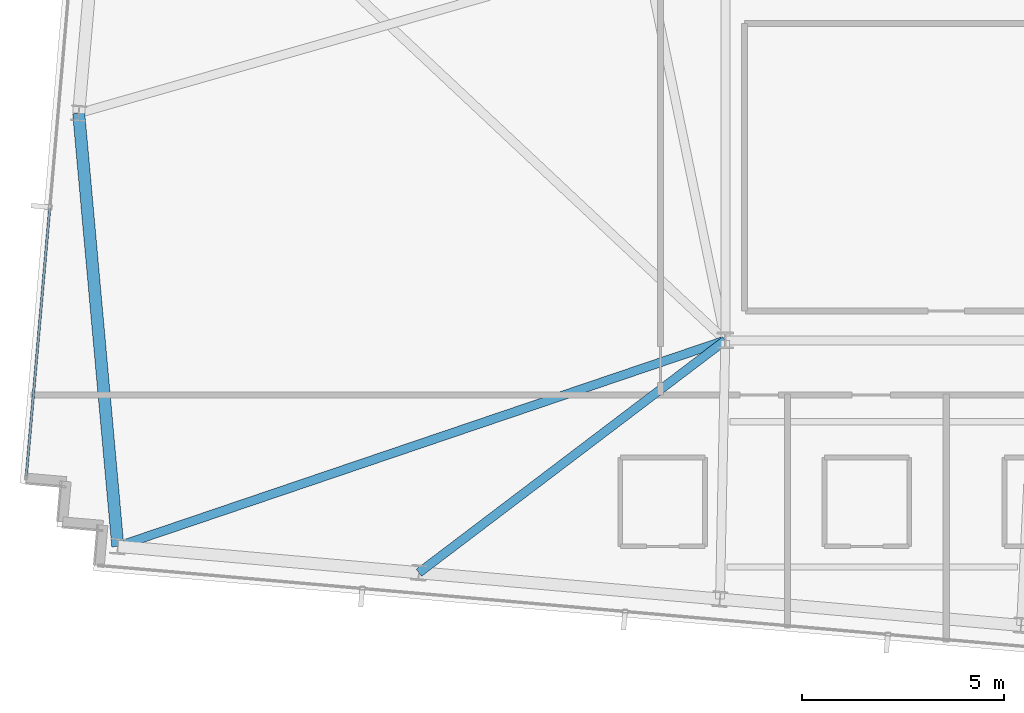
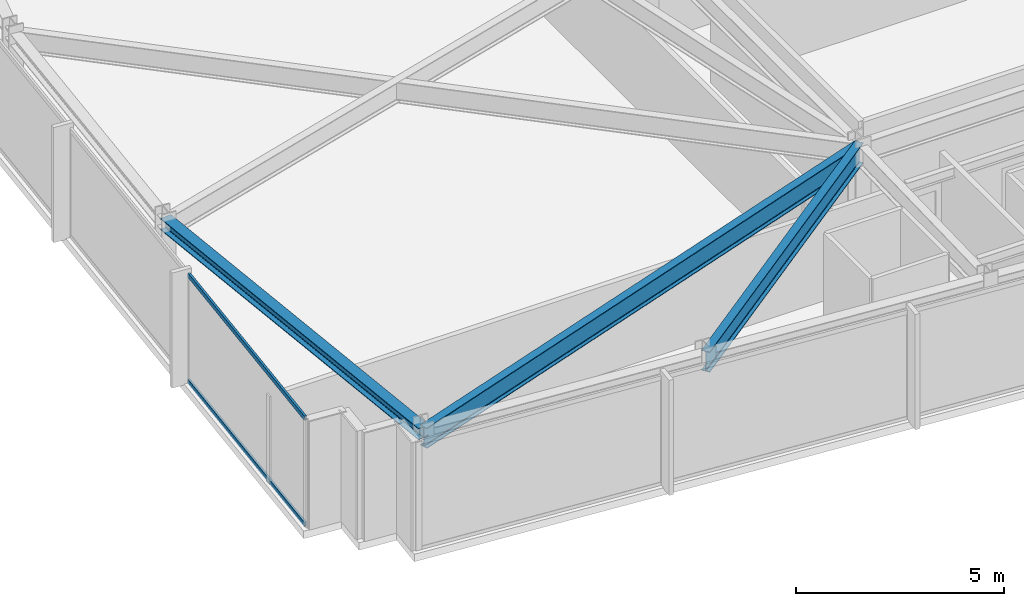
# One storey, part 4 of 33: 3 beams, 2 members, 1 element without a shape of its own.
"""IFC4 building model written with IfcOpenShell, lengths in metres."""

from ifc_helpers import new_model, si_unit, direction, frame, origin, origin_2d, place, context, subcontext, project, spatial, hollow_rectangle, i_section, extrude, material, material_profile, profile_set, type_object, element, aggregate, save


model = new_model("IFC4")

# Units and contexts
model_context = context("Model", 3, precision=1e-05, world=origin(), true_north=direction((0.0, 1.0)))
body_context = subcontext(model_context, "Body", "Model", "MODEL_VIEW")
ifc_project = project(units=[si_unit("LENGTHUNIT", "METRE"), si_unit("AREAUNIT", "SQUARE_METRE"), si_unit("VOLUMEUNIT", "CUBIC_METRE"), si_unit("PLANEANGLEUNIT", "RADIAN"), si_unit("MASSUNIT", "GRAM", prefix="KILO")], contexts=[model_context])

# Site, building, storey
site_placement = place(None, origin())
site = spatial("IfcSite", under=ifc_project, at=site_placement, CompositionType="ELEMENT")
building_placement = place(site_placement, origin())
building = spatial("IfcBuilding", under=site, at=building_placement, Name="Yelkora Congress Tower", CompositionType="ELEMENT")
storey_placement = place(building_placement, frame((0.0, 0.0, 282.89990234375)))
storey = spatial("IfcBuildingStorey", under=building, at=storey_placement, Name="L79", CompositionType="ELEMENT", Elevation=282.89990234375)

# Beams
ifc_material_1 = material(Name="Steel S355J2", Category="steel")
ifc_material_profile_1 = material_profile(ifc_material_1, i_section(OverallWidth=0.219970703125, OverallDepth=0.60009765625, WebThickness=0.011962890625, FlangeThickness=0.01904296875, FilletRadius=0.02392578125, at=origin_2d()), Name="IPE 600")
ifc_profile_set_1 = profile_set([ifc_material_profile_1], Name="Steel S355J2")
beam_type_1 = type_object("IfcBeamType", Name="BM-GIRD-IPE600", PredefinedType="BEAM", material=ifc_profile_set_1)
beam_1_placement = place(storey_placement, frame((7.998046875, 20.097900390625, 2.880126953125), z_axis=(0.947007090502, 0.321212656257, 0.0), x_axis=(-0.321212656257, 0.947007090502, 0.0)))
element("IfcBeam", 1, at=beam_1_placement, inside=storey, type_object=beam_type_1, Name="L79 Primary Frame Girder S01", PredefinedType="BEAM", context=body_context, shape_type="SweptSolid", body=[
    extrude(i_section(OverallWidth=0.219970703125, OverallDepth=0.60009765625, WebThickness=0.011962890625, FlangeThickness=0.01904296875, FilletRadius=0.02392578125, at=origin_2d()), origin(), (0.0, 0.0, 1.0), 15.8837890625),
])
beam_2_placement = place(storey_placement, frame((15.452880859375, 19.445556640625, 2.880126953125), z_axis=(0.79676107913, 0.6042944504, 0.0), x_axis=(-0.6042944504, 0.79676107913, 0.0)))
element("IfcBeam", 2, at=beam_2_placement, inside=storey, type_object=beam_type_1, Name="L79 Primary Frame Girder S02", PredefinedType="BEAM", context=body_context, shape_type="SweptSolid", body=[
    extrude(i_section(OverallWidth=0.219970703125, OverallDepth=0.60009765625, WebThickness=0.011962890625, FlangeThickness=0.01904296875, FilletRadius=0.02392578125, at=origin_2d()), origin(), (0.0, 0.0, 1.0), 9.5224609375),
])
ifc_material_profile_2 = material_profile(ifc_material_1, i_section(OverallWidth=0.300048828125, OverallDepth=0.340087890625, WebThickness=0.011962890625, FlangeThickness=0.021484375, FilletRadius=0.027099609375, at=origin_2d()), Name="HEB 340")
ifc_profile_set_2 = profile_set([ifc_material_profile_2], Name="Steel S355J2")
beam_type_2 = type_object("IfcBeamType", Name="BM-SPAN-HEB340", PredefinedType="SPANDREL", material=ifc_profile_set_2)
beam_3_placement = place(storey_placement, frame((7.029052734375, 30.822998046875, 3.010009765625), z_axis=(0.08998177561, -0.995943412076, 0.0), x_axis=(0.995943412076, 0.08998177561, 0.0)))
element("IfcBeam", 3, at=beam_3_placement, inside=storey, type_object=beam_type_2, Name="L79 Perimeter Beam 15", PredefinedType="SPANDREL", context=body_context, shape_type="SweptSolid", body=[
    extrude(i_section(OverallWidth=0.300048828125, OverallDepth=0.340087890625, WebThickness=0.011962890625, FlangeThickness=0.021484375, FilletRadius=0.027099609375, at=origin_2d()), origin(), (0.0, 0.0, 1.0), 10.768798828125),
])

# Curtain wall, members
ifc_material_2 = material(Name="Anodised aluminium and insulated glass", Category="aluminium")
curtain_wall_type = type_object("IfcCurtainWallType", Name="CW-SYS-B5", PredefinedType="NOTDEFINED", material=ifc_material_2)
curtain_wall_placement = place(storey_placement, origin())
curtain_wall = element("IfcCurtainWall", 4, at=curtain_wall_placement, inside=storey, type_object=curtain_wall_type, Name="L79 Unitised Curtain Wall 5", PredefinedType="NOTDEFINED")
ifc_material_3 = material(Name="Anodised aluminium 6063-T6", Category="aluminium")
ifc_material_profile_3 = material_profile(ifc_material_3, hollow_rectangle(XDim=0.06005859375, YDim=0.1298828125, WallThickness=0.00390625, at=origin_2d()), Name="ALU 60x130x4")
ifc_profile_set_3 = profile_set([ifc_material_profile_3], Name="Anodised aluminium 6063-T6")
member_type = type_object("IfcMemberType", Name="MEM-TR-B5", PredefinedType="USERDEFINED", material=ifc_profile_set_3)
member_1_placement = place(storey_placement, frame((5.732666015625, 21.85693359375, 0.030029296875), z_axis=(0.08716649365, 0.996193757451, 0.0), x_axis=(-0.996193757451, 0.08716649365, 0.0)))
member_1 = element("IfcMember", 5, at=member_1_placement, type_object=member_type, Name="CW-B5 transom 1.1", ObjectType="TRANSOM", PredefinedType="USERDEFINED", context=body_context, shape_type="SweptSolid", body=[
    extrude(hollow_rectangle(XDim=0.06005859375, YDim=0.1298828125, WallThickness=0.00390625, at=origin_2d()), origin(), (0.0, 0.0, 1.0), 6.63232421875),
])
member_2_placement = place(storey_placement, frame((5.732666015625, 21.85693359375, 3.150146484375), z_axis=(0.08716649365, 0.996193757451, 0.0), x_axis=(-0.996193757451, 0.08716649365, 0.0)))
member_2 = element("IfcMember", 6, at=member_2_placement, type_object=member_type, Name="CW-B5 transom 1.2", ObjectType="TRANSOM", PredefinedType="USERDEFINED", context=body_context, shape_type="SweptSolid", body=[
    extrude(hollow_rectangle(XDim=0.06005859375, YDim=0.1298828125, WallThickness=0.00390625, at=origin_2d()), origin(), (0.0, 0.0, 1.0), 6.63232421875),
])
aggregate(curtain_wall, [member_1, member_2])

save(model, "model.ifc")
